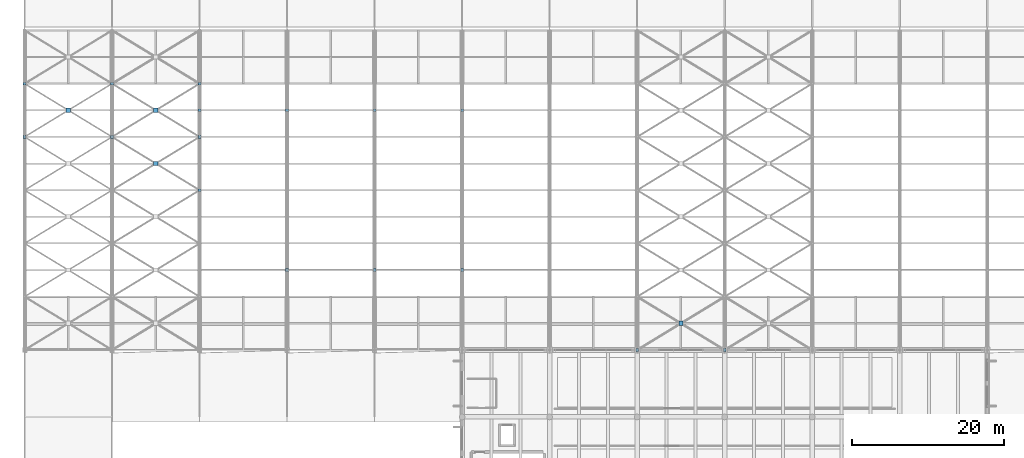
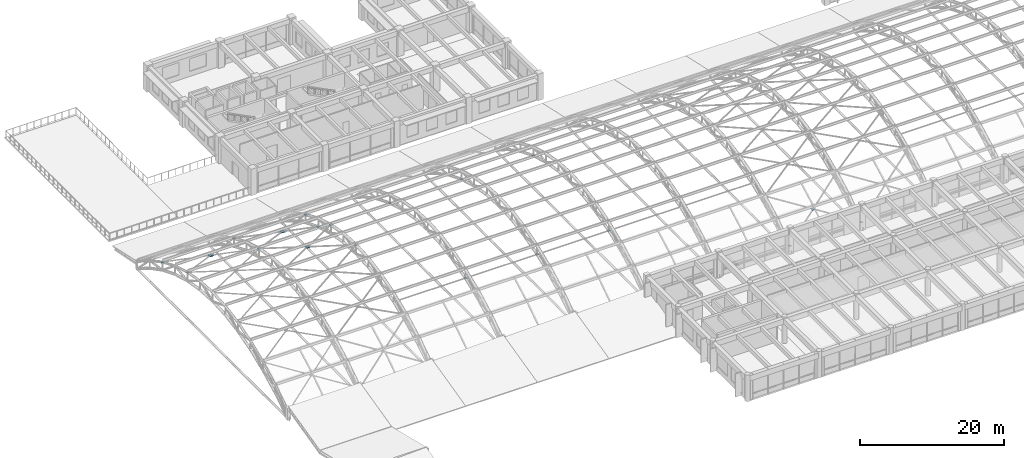
# One storey, part 145 of 154: 20 discrete accessories.
"""IFC4 building model written with IfcOpenShell, lengths in metres."""

from ifc_helpers import new_model, si_unit, direction, frame, origin, origin_2d, place, context, subcontext, project, spatial, rectangle, extrude, material, type_object, element, save


model = new_model("IFC4")

# Units and contexts
model_context = context("Model", 3, precision=1e-05, world=origin(), true_north=direction((0.0, 1.0)))
body_context = subcontext(model_context, "Body", "Model", "MODEL_VIEW")
ifc_project = project(units=[si_unit("LENGTHUNIT", "METRE"), si_unit("AREAUNIT", "SQUARE_METRE"), si_unit("VOLUMEUNIT", "CUBIC_METRE"), si_unit("PLANEANGLEUNIT", "RADIAN"), si_unit("MASSUNIT", "GRAM", prefix="KILO")], contexts=[model_context])

# Site, building, storey
site_placement = place(None, origin())
site = spatial("IfcSite", under=ifc_project, at=site_placement, CompositionType="ELEMENT")
building_placement = place(site_placement, origin())
building = spatial("IfcBuilding", under=site, at=building_placement, Name="Ologun Quay Terminus", CompositionType="ELEMENT")
storey_placement = place(building_placement, frame((0.0, 0.0, 13.800048828125)))
storey = spatial("IfcBuildingStorey", under=building, at=storey_placement, Name="L03", CompositionType="ELEMENT", Elevation=13.800048828125)

# Discrete accessories
ifc_material_1 = material(Name="Steel S355", Category="steel")
discrete_accessory_type_1 = type_object("IfcDiscreteAccessoryType", Name="Brace & Strut End Gusset Connection Plate 360x360x20", PredefinedType="BRACKET", material=ifc_material_1)
for number, where, z_axis, x_axis, name in (
    (1, (11.5, 64.0, 7.874267578125), (0.0, 0.0, 1.0), (1.0, 0.0, 0.0), "GUS-END Wind Brace End Gusset B1-K6-2"),
    (2, (0.0, 64.0, 7.874267578125), (0.0, 0.0, 1.0), (1.0, 0.0, 0.0), "GUS-END Wind Brace End Gusset B1-K6-3"),
    (3, (11.5, 71.0, 5.36767578125), (0.0, 0.0, 1.0), (1.0, 0.0, 0.0), "GUS-END Wind Brace End Gusset B1-K8-2"),
    (4, (0.0, 71.0, 5.36767578125), (0.0, 0.0, 1.0), (1.0, 0.0, 0.0), "GUS-END Wind Brace End Gusset B1-K8-3"),
    (5, (23.0, 57.0, 8.7099609375), (0.0, 0.0, 1.0), (1.0, 0.0, 0.0), "GUS-END Wind Brace End Gusset B2-K4-2"),
    (6, (23.0, 64.0, 7.874267578125), (0.0, 0.0, 1.0), (1.0, 0.0, 0.0), "GUS-END Wind Brace End Gusset B2-K6-2"),
    (7, (23.0, 71.0, 5.36767578125), (0.0, 0.0, 1.0), (1.0, 0.0, 0.0), "GUS-END Wind Brace End Gusset B2-K8-2"),
    (8, (34.5, 46.5, 5.419921875), (0.0, 0.0, 1.0), (1.0, 0.0, 0.0), "GUS-END Collector End Gusset B3-K3-E"),
    (9, (23.0, 67.5, 5.419921875), (0.0, 0.0, 1.0), (1.0, 0.0, 0.0), "GUS-END Collector End Gusset B3-K9-W"),
    (10, (34.5, 67.5, 5.419921875), (0.0, 0.0, 1.0), (1.0, 0.0, 0.0), "GUS-END Collector End Gusset B3-K9-E"),
    (11, (46.0, 46.5, 5.419921875), (0.0, 0.0, 1.0), (1.0, 0.0, 0.0), "GUS-END Collector End Gusset B4-K3-E"),
    (12, (46.0, 67.5, 5.419921875), (0.0, 0.0, 1.0), (1.0, 0.0, 0.0), "GUS-END Collector End Gusset B4-K9-E"),
    (13, (57.5, 46.5, 5.419921875), (0.0, 0.0, 1.0), (1.0, 0.0, 0.0), "GUS-END Collector End Gusset B5-K3-E"),
    (14, (57.5, 67.5, 5.419921875), (0.0, 0.0, 1.0), (1.0, 0.0, 0.0), "GUS-END Collector End Gusset B5-K9-E"),
    (15, (80.5, 36.0, 1.18994140625), (0.0, 0.0, 1.0), (1.0, 0.0, 0.0), "GUS-END Wind Brace End Gusset B8-K0-1"),
    (16, (92.0, 36.0, 1.18994140625), (0.0, 0.0, 1.0), (1.0, 0.0, 0.0), "GUS-END Wind Brace End Gusset B8-K0-4"),
):
    element("IfcDiscreteAccessory", number, at=place(storey_placement, frame(where, z_axis=z_axis, x_axis=x_axis)), inside=storey, type_object=discrete_accessory_type_1, Name=name, PredefinedType="BRACKET", context=body_context, shape_type="SweptSolid", body=[
        extrude(rectangle(XDim=0.360107421875, YDim=0.360107421875, at=origin_2d()), origin(), (0.0, 0.0, 1.0), 0.02001953125),
    ])
ifc_material_2 = material(Name="Steel S355", Category="steel")
discrete_accessory_type_2 = type_object("IfcDiscreteAccessoryType", Name="X-Brace Central Gusset Node Plate 560x560x20", PredefinedType="BRACKET", material=ifc_material_2)
for number, where, z_axis, x_axis, name in (
    (17, (5.75, 67.5, 6.62109375), (0.0, 0.0, 1.0), (1.0, 0.0, 0.0), "GUS-XB X-Brace Crossing Node Plate B1-K8"),
    (18, (17.25, 60.5, 8.292236328125), (0.0, 0.0, 1.0), (1.0, 0.0, 0.0), "GUS-XB X-Brace Crossing Node Plate B2-K6"),
    (19, (17.25, 67.5, 6.62109375), (0.0, 0.0, 1.0), (1.0, 0.0, 0.0), "GUS-XB X-Brace Crossing Node Plate B2-K8"),
    (20, (86.25, 39.5, 3.27880859375), (0.0, 0.0, 1.0), (1.0, 0.0, 0.0), "GUS-XB X-Brace Crossing Node Plate B8-K0"),
):
    element("IfcDiscreteAccessory", number, at=place(storey_placement, frame(where, z_axis=z_axis, x_axis=x_axis)), inside=storey, type_object=discrete_accessory_type_2, Name=name, PredefinedType="BRACKET", context=body_context, shape_type="SweptSolid", body=[
        extrude(rectangle(XDim=0.56005859375, YDim=0.56005859375, at=origin_2d()), origin(), (0.0, 0.0, 1.0), 0.02001953125),
    ])

save(model, "model.ifc")
